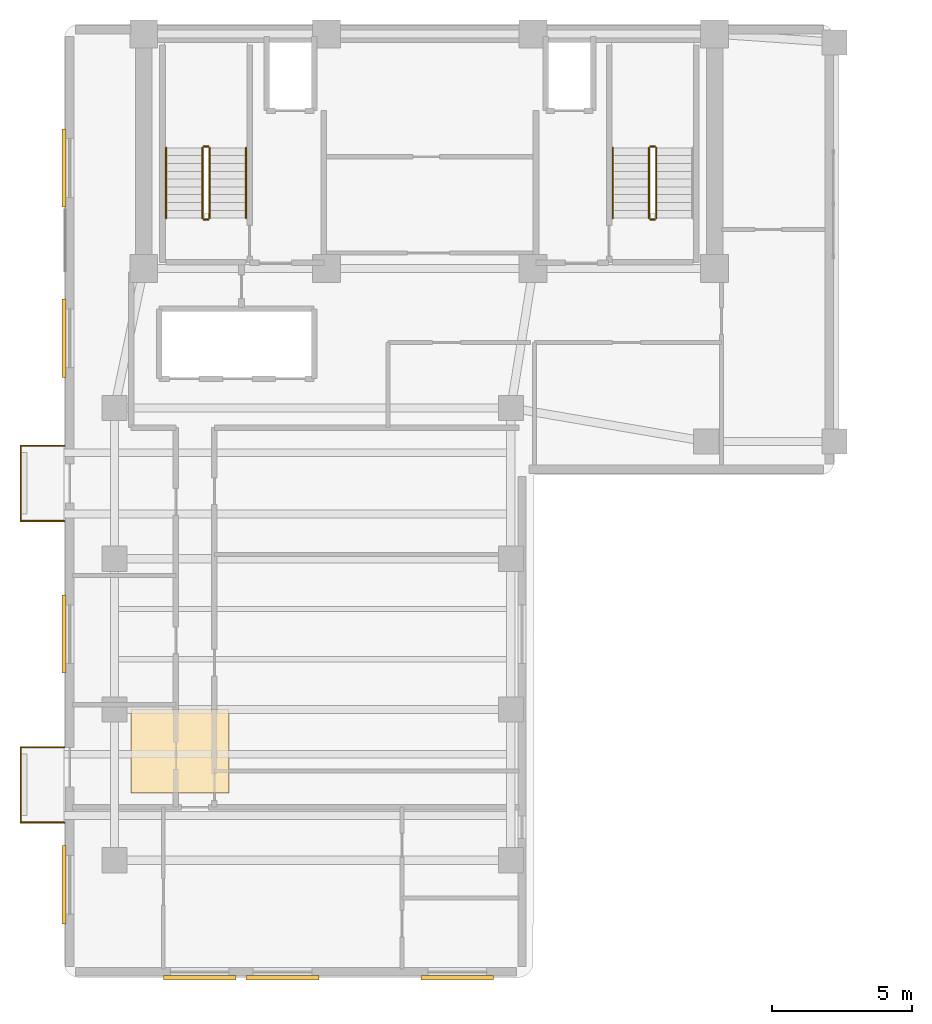
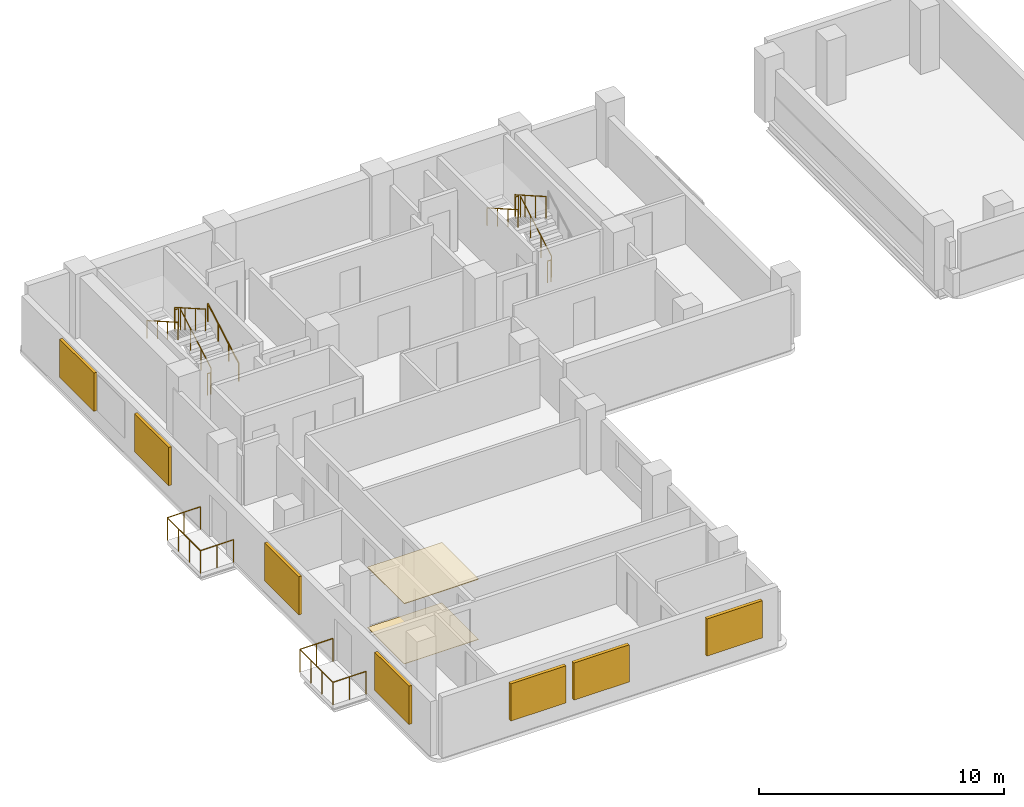
# One storey, part 8 of 9: 17 railings, 7 shading devices, 2 coverings.
"""IFC4 building model written with IfcOpenShell, lengths in metres."""

from ifc_helpers import new_model, si_unit, direction, frame, origin, origin_2d, place, context, subcontext, project, spatial, polyline, rectangle, circle, outline, extrude, material, layer, layer_set, type_object, element, save


model = new_model("IFC4")

# Units and contexts
model_context = context("Model", 3, precision=1e-05, world=origin(), true_north=direction((0.0, 1.0)))
body_context = subcontext(model_context, "Body", "Model", "MODEL_VIEW")
ifc_project = project(units=[si_unit("LENGTHUNIT", "METRE"), si_unit("AREAUNIT", "SQUARE_METRE"), si_unit("VOLUMEUNIT", "CUBIC_METRE"), si_unit("PLANEANGLEUNIT", "RADIAN"), si_unit("MASSUNIT", "GRAM", prefix="KILO")], contexts=[model_context])

# Site, building, storey
site_placement = place(None, origin())
site = spatial("IfcSite", under=ifc_project, at=site_placement, CompositionType="ELEMENT")
building_placement = place(site_placement, origin())
building = spatial("IfcBuilding", under=site, at=building_placement, Name="Kuzgunbayir Cultural Tower", CompositionType="ELEMENT")
storey_placement = place(building_placement, frame((0.0, 0.0, 166.39990234375)))
storey = spatial("IfcBuildingStorey", under=building, at=storey_placement, Name="L48", CompositionType="ELEMENT", Elevation=166.39990234375)

# Coverings
ifc_material_1 = material(Name="Perforated Gypsum Acoustic Tile", Category="gypsum")
ifc_layer_1 = layer(ifc_material_1, 0.02490234375)
ifc_layer_set_1 = layer_set([ifc_layer_1], Name="Perforated Gypsum Acoustic Tile")
covering_type_1 = type_object("IfcCoveringType", Name="COV-CEIL-ACOUSTIC", PredefinedType="CEILING", material=ifc_layer_set_1)
covering_1_placement = place(storey_placement, frame((0.0, 0.0, 2.989990234375)))
element("IfcCovering", 1, at=covering_1_placement, inside=storey, type_object=covering_type_1, Name="L48 Acoustic Soffit Ceiling", PredefinedType="CEILING", context=body_context, shape_type="SweptSolid", body=[
    extrude(outline(polyline([(6.0, 15.0), (9.5, 15.0), (9.5, 18.0), (6.0, 18.0), (6.0, 15.0)])), origin(), (0.0, 0.0, 1.0), 0.030029296875),
])
ifc_material_2 = material(Name="Engineered Anatolian Oak Parquet", Category="wood")
ifc_layer_2 = layer(ifc_material_2, 0.02197265625)
ifc_layer_set_2 = layer_set([ifc_layer_2], Name="Engineered Anatolian Oak Parquet")
covering_type_2 = type_object("IfcCoveringType", Name="COV-FLOOR-OAK", PredefinedType="FLOORING", material=ifc_layer_set_2)
covering_2_placement = place(storey_placement, origin())
element("IfcCovering", 2, at=covering_2_placement, inside=storey, type_object=covering_type_2, Name="L48 Acoustic Floor Finish", PredefinedType="FLOORING", context=body_context, shape_type="SweptSolid", body=[
    extrude(outline(polyline([(6.0, 15.0), (9.5, 15.0), (9.5, 18.0), (6.0, 18.0), (6.0, 15.0)])), origin(), (0.0, 0.0, 1.0), 0.02001953125),
])

# Railings
ifc_material_3 = material(Name="Laminated Glass and Stainless Steel", Category="steel")
ifc_layer_3 = layer(ifc_material_3, 0.080078125)
ifc_layer_set_3 = layer_set([ifc_layer_3], Name="Laminated Glass and Stainless Steel")
railing_type_1 = type_object("IfcRailingType", Name="RLG-BAL-115", PredefinedType="BALUSTRADE", material=ifc_layer_set_3)
railing_1_placement = place(storey_placement, frame((3.60009765625, 13.949951171875, 0.0)))
element("IfcRailing", 3, at=railing_1_placement, inside=storey, type_object=railing_type_1, Name="L48 Balcony Guard BAL-L48-WA1 Segment 1", PredefinedType="BALUSTRADE", context=body_context, shape_type="SweptSolid", body=[
    extrude(circle(Radius=0.02392578125, at=origin_2d()), frame((0.0, 0.0, 1.1259765625), z_axis=(-1.0, 0.0, 0.0), x_axis=(0.0, -1.0, 0.0)), (0.0, 0.0, 1.0), 1.56005859375),
    extrude(circle(Radius=0.02099609375, at=origin_2d()), origin(), (0.0, 0.0, 1.0), 1.101806640625),
    extrude(circle(Radius=0.02099609375, at=origin_2d()), frame((-0.780029296875, 0.0, 0.0)), (0.0, 0.0, 1.0), 1.101806640625),
    extrude(circle(Radius=0.02099609375, at=origin_2d()), frame((-1.56005859375, 0.0, 0.0)), (0.0, 0.0, 1.0), 1.101806640625),
])
railing_2_placement = place(storey_placement, frame((2.0400390625, 13.949951171875, 0.0)))
element("IfcRailing", 4, at=railing_2_placement, inside=storey, type_object=railing_type_1, Name="L48 Balcony Guard BAL-L48-WA1 Segment 2", PredefinedType="BALUSTRADE", context=body_context, shape_type="SweptSolid", body=[
    extrude(circle(Radius=0.02392578125, at=origin_2d()), frame((0.0, 0.0, 1.1259765625), z_axis=(0.0, 1.0, 0.0), x_axis=(-1.0, 0.0, 0.0)), (0.0, 0.0, 1.0), 2.699951171875),
    extrude(circle(Radius=0.02099609375, at=origin_2d()), origin(), (0.0, 0.0, 1.0), 1.101806640625),
    extrude(circle(Radius=0.02099609375, at=origin_2d()), frame((0.0, 0.89990234375, 0.0)), (0.0, 0.0, 1.0), 1.101806640625),
    extrude(circle(Radius=0.02099609375, at=origin_2d()), frame((0.0, 1.800048828125, 0.0)), (0.0, 0.0, 1.0), 1.101806640625),
    extrude(circle(Radius=0.02099609375, at=origin_2d()), frame((0.0, 2.699951171875, 0.0)), (0.0, 0.0, 1.0), 1.101806640625),
])
railing_3_placement = place(storey_placement, frame((2.0400390625, 16.64990234375, 0.0)))
element("IfcRailing", 5, at=railing_3_placement, inside=storey, type_object=railing_type_1, Name="L48 Balcony Guard BAL-L48-WA1 Segment 3", PredefinedType="BALUSTRADE", context=body_context, shape_type="SweptSolid", body=[
    extrude(circle(Radius=0.02392578125, at=origin_2d()), frame((0.0, 0.0, 1.1259765625), z_axis=(1.0, 0.0, 0.0), x_axis=(0.0, 1.0, 0.0)), (0.0, 0.0, 1.0), 1.56005859375),
    extrude(circle(Radius=0.02099609375, at=origin_2d()), origin(), (0.0, 0.0, 1.0), 1.101806640625),
    extrude(circle(Radius=0.02099609375, at=origin_2d()), frame((0.780029296875, 0.0, 0.0)), (0.0, 0.0, 1.0), 1.101806640625),
    extrude(circle(Radius=0.02099609375, at=origin_2d()), frame((1.56005859375, 0.0, 0.0)), (0.0, 0.0, 1.0), 1.101806640625),
])
railing_4_placement = place(storey_placement, frame((3.60009765625, 24.75, 0.0)))
element("IfcRailing", 6, at=railing_4_placement, inside=storey, type_object=railing_type_1, Name="L48 Balcony Guard BAL-L48-WA3 Segment 1", PredefinedType="BALUSTRADE", context=body_context, shape_type="SweptSolid", body=[
    extrude(circle(Radius=0.02392578125, at=origin_2d()), frame((0.0, 0.0, 1.1259765625), z_axis=(-1.0, 0.0, 0.0), x_axis=(0.0, -1.0, 0.0)), (0.0, 0.0, 1.0), 1.56005859375),
    extrude(circle(Radius=0.02099609375, at=origin_2d()), origin(), (0.0, 0.0, 1.0), 1.101806640625),
    extrude(circle(Radius=0.02099609375, at=origin_2d()), frame((-0.780029296875, 0.0, 0.0)), (0.0, 0.0, 1.0), 1.101806640625),
    extrude(circle(Radius=0.02099609375, at=origin_2d()), frame((-1.56005859375, 0.0, 0.0)), (0.0, 0.0, 1.0), 1.101806640625),
])
railing_5_placement = place(storey_placement, frame((2.0400390625, 24.75, 0.0)))
element("IfcRailing", 7, at=railing_5_placement, inside=storey, type_object=railing_type_1, Name="L48 Balcony Guard BAL-L48-WA3 Segment 2", PredefinedType="BALUSTRADE", context=body_context, shape_type="SweptSolid", body=[
    extrude(circle(Radius=0.02392578125, at=origin_2d()), frame((0.0, 0.0, 1.1259765625), z_axis=(0.0, 1.0, 0.0), x_axis=(-1.0, 0.0, 0.0)), (0.0, 0.0, 1.0), 2.699951171875),
    extrude(circle(Radius=0.02099609375, at=origin_2d()), origin(), (0.0, 0.0, 1.0), 1.101806640625),
    extrude(circle(Radius=0.02099609375, at=origin_2d()), frame((0.0, 0.89990234375, 0.0)), (0.0, 0.0, 1.0), 1.101806640625),
    extrude(circle(Radius=0.02099609375, at=origin_2d()), frame((0.0, 1.800048828125, 0.0)), (0.0, 0.0, 1.0), 1.101806640625),
    extrude(circle(Radius=0.02099609375, at=origin_2d()), frame((0.0, 2.699951171875, 0.0)), (0.0, 0.0, 1.0), 1.101806640625),
])
railing_6_placement = place(storey_placement, frame((2.0400390625, 27.449951171875, 0.0)))
element("IfcRailing", 8, at=railing_6_placement, inside=storey, type_object=railing_type_1, Name="L48 Balcony Guard BAL-L48-WA3 Segment 3", PredefinedType="BALUSTRADE", context=body_context, shape_type="SweptSolid", body=[
    extrude(circle(Radius=0.02392578125, at=origin_2d()), frame((0.0, 0.0, 1.1259765625), z_axis=(1.0, 0.0, 0.0), x_axis=(0.0, 1.0, 0.0)), (0.0, 0.0, 1.0), 1.56005859375),
    extrude(circle(Radius=0.02099609375, at=origin_2d()), origin(), (0.0, 0.0, 1.0), 1.101806640625),
    extrude(circle(Radius=0.02099609375, at=origin_2d()), frame((0.780029296875, 0.0, 0.0)), (0.0, 0.0, 1.0), 1.101806640625),
    extrude(circle(Radius=0.02099609375, at=origin_2d()), frame((1.56005859375, 0.0, 0.0)), (0.0, 0.0, 1.0), 1.101806640625),
])
ifc_material_4 = material(Name="Brushed Stainless Steel", Category="steel")
ifc_layer_4 = layer(ifc_material_4, 0.050048828125)
ifc_layer_set_4 = layer_set([ifc_layer_4], Name="Brushed Stainless Steel")
railing_type_2 = type_object("IfcRailingType", Name="RLG-STAIR-HANDRAIL", PredefinedType="HANDRAIL", material=ifc_layer_set_4)
railing_7_placement = place(storey_placement, frame((10.110107421875, 35.60009765625, 0.16015625)))
element("IfcRailing", 9, at=railing_7_placement, inside=storey, type_object=railing_type_2, Name="L48 ST-1 stair handrail 1", PredefinedType="HANDRAIL", context=body_context, shape_type="SweptSolid", body=[
    extrude(circle(Radius=0.02392578125, at=origin_2d()), frame((0.0, 0.0, 0.8759765625), z_axis=(0.0, 0.868253494771, 0.496120820787), x_axis=(-1.0, 0.0, 0.0)), (0.0, 0.0, 1.0), 2.90234375),
    extrude(circle(Radius=0.02099609375, at=origin_2d()), origin(), (0.0, 0.0, 1.0), 0.851806640625),
    extrude(circle(Radius=0.02099609375, at=origin_2d()), frame((0.0, 0.840087890625, 0.47998046875)), (0.0, 0.0, 1.0), 0.851806640625),
    extrude(circle(Radius=0.02099609375, at=origin_2d()), frame((0.0, 1.679931640625, 0.9599609375)), (0.0, 0.0, 1.0), 0.851806640625),
    extrude(circle(Radius=0.02099609375, at=origin_2d()), frame((0.0, 2.52001953125, 1.43994140625)), (0.0, 0.0, 1.0), 0.851806640625),
])
for number, where, name in (
    (10, (7.25, 38.1201171875, 1.760009765625), "L48 ST-1 stair handrail 2"),
    (11, (23.25, 38.1201171875, 1.760009765625), "L48 ST-2 stair handrail 2"),
):
    element("IfcRailing", number, at=place(storey_placement, frame(where)), inside=storey, type_object=railing_type_2, Name=name, PredefinedType="HANDRAIL", context=body_context, shape_type="SweptSolid", body=[
        extrude(circle(Radius=0.02392578125, at=origin_2d()), frame((0.0, 0.0, 0.8759765625), z_axis=(0.0, -0.868217259934, 0.496184229447), x_axis=(1.0, 0.0, 0.0)), (0.0, 0.0, 1.0), 2.902587890625),
        extrude(circle(Radius=0.02099609375, at=origin_2d()), origin(), (0.0, 0.0, 1.0), 0.851806640625),
        extrude(circle(Radius=0.02099609375, at=origin_2d()), frame((0.0, -0.840087890625, 0.47998046875)), (0.0, 0.0, 1.0), 0.851806640625),
        extrude(circle(Radius=0.02099609375, at=origin_2d()), frame((0.0, -1.679931640625, 0.960205078125)), (0.0, 0.0, 1.0), 0.851806640625),
        extrude(circle(Radius=0.02099609375, at=origin_2d()), frame((0.0, -2.52001953125, 1.440185546875)), (0.0, 0.0, 1.0), 0.851806640625),
    ])
ifc_material_5 = material(Name="Painted Steel Balustrade", Category="steel")
ifc_layer_5 = layer(ifc_material_5, 0.06005859375)
ifc_layer_set_5 = layer_set([ifc_layer_5], Name="Painted Steel Balustrade")
railing_type_3 = type_object("IfcRailingType", Name="RLG-WELL-GUARD", PredefinedType="GUARDRAIL", material=ifc_layer_set_5)
railing_8_placement = place(storey_placement, frame((8.81005859375, 35.60009765625, 0.16015625)))
element("IfcRailing", 12, at=railing_8_placement, inside=storey, type_object=railing_type_3, Name="L48 ST-1 stair guard 1", PredefinedType="GUARDRAIL", context=body_context, shape_type="SweptSolid", body=[
    extrude(circle(Radius=0.02392578125, at=origin_2d()), frame((0.0, 0.0, 1.076171875), z_axis=(0.0, 0.868253494771, 0.496120820787), x_axis=(-1.0, 0.0, 0.0)), (0.0, 0.0, 1.0), 2.90234375),
    extrude(circle(Radius=0.02099609375, at=origin_2d()), origin(), (0.0, 0.0, 1.0), 1.052001953125),
    extrude(circle(Radius=0.02099609375, at=origin_2d()), frame((0.0, 0.840087890625, 0.47998046875)), (0.0, 0.0, 1.0), 1.052001953125),
    extrude(circle(Radius=0.02099609375, at=origin_2d()), frame((0.0, 1.679931640625, 0.9599609375)), (0.0, 0.0, 1.0), 1.052001953125),
    extrude(circle(Radius=0.02099609375, at=origin_2d()), frame((0.0, 2.52001953125, 1.43994140625)), (0.0, 0.0, 1.0), 1.052001953125),
])
railing_9_placement = place(storey_placement, frame((8.760009765625, 38.169921875, 1.60009765625)))
element("IfcRailing", 13, at=railing_9_placement, inside=storey, type_object=railing_type_3, Name="L48 ST-1 stair guard 2", PredefinedType="GUARDRAIL", context=body_context, shape_type="SweptSolid", body=[
    extrude(circle(Radius=0.02392578125, at=origin_2d()), frame((0.0, 0.0, 1.076171875), z_axis=(-1.0, 0.0, 0.0), x_axis=(0.0, -1.0, 0.0)), (0.0, 0.0, 1.0), 0.159912109375),
    extrude(circle(Radius=0.02099609375, at=origin_2d()), origin(), (0.0, 0.0, 1.0), 1.052001953125),
    extrude(circle(Radius=0.02099609375, at=origin_2d()), frame((-0.159912109375, 0.0, 0.0)), (0.0, 0.0, 1.0), 1.052001953125),
])
railing_10_placement = place(storey_placement, frame((8.550048828125, 38.1201171875, 1.760009765625)))
element("IfcRailing", 14, at=railing_10_placement, inside=storey, type_object=railing_type_3, Name="L48 ST-1 stair guard 3", PredefinedType="GUARDRAIL", context=body_context, shape_type="SweptSolid", body=[
    extrude(circle(Radius=0.02392578125, at=origin_2d()), frame((0.0, 0.0, 1.076171875), z_axis=(0.0, -0.868217259934, 0.496184229447), x_axis=(1.0, 0.0, 0.0)), (0.0, 0.0, 1.0), 2.902587890625),
    extrude(circle(Radius=0.02099609375, at=origin_2d()), origin(), (0.0, 0.0, 1.0), 1.052001953125),
    extrude(circle(Radius=0.02099609375, at=origin_2d()), frame((0.0, -0.840087890625, 0.47998046875)), (0.0, 0.0, 1.0), 1.052001953125),
    extrude(circle(Radius=0.02099609375, at=origin_2d()), frame((0.0, -1.679931640625, 0.960205078125)), (0.0, 0.0, 1.0), 1.052001953125),
    extrude(circle(Radius=0.02099609375, at=origin_2d()), frame((0.0, -2.52001953125, 1.440185546875)), (0.0, 0.0, 1.0), 1.052001953125),
])
railing_11_placement = place(storey_placement, frame((8.760009765625, 35.550048828125, 0.0)))
element("IfcRailing", 15, at=railing_11_placement, inside=storey, type_object=railing_type_3, Name="L48 ST-1 stair guard 4", PredefinedType="GUARDRAIL", context=body_context, shape_type="SweptSolid", body=[
    extrude(circle(Radius=0.02392578125, at=origin_2d()), frame((0.0, 0.0, 1.076171875), z_axis=(-1.0, 0.0, 0.0), x_axis=(0.0, -1.0, 0.0)), (0.0, 0.0, 1.0), 0.159912109375),
    extrude(circle(Radius=0.02099609375, at=origin_2d()), origin(), (0.0, 0.0, 1.0), 1.052001953125),
    extrude(circle(Radius=0.02099609375, at=origin_2d()), frame((-0.159912109375, 0.0, 0.0)), (0.0, 0.0, 1.0), 1.052001953125),
])
railing_12_placement = place(storey_placement, frame((24.81005859375, 35.60009765625, 0.16015625)))
element("IfcRailing", 16, at=railing_12_placement, inside=storey, type_object=railing_type_3, Name="L48 ST-2 stair guard 1", PredefinedType="GUARDRAIL", context=body_context, shape_type="SweptSolid", body=[
    extrude(circle(Radius=0.02392578125, at=origin_2d()), frame((0.0, 0.0, 1.076171875), z_axis=(0.0, 0.868253494771, 0.496120820787), x_axis=(-1.0, 0.0, 0.0)), (0.0, 0.0, 1.0), 2.90234375),
    extrude(circle(Radius=0.02099609375, at=origin_2d()), origin(), (0.0, 0.0, 1.0), 1.052001953125),
    extrude(circle(Radius=0.02099609375, at=origin_2d()), frame((0.0, 0.840087890625, 0.47998046875)), (0.0, 0.0, 1.0), 1.052001953125),
    extrude(circle(Radius=0.02099609375, at=origin_2d()), frame((0.0, 1.679931640625, 0.9599609375)), (0.0, 0.0, 1.0), 1.052001953125),
    extrude(circle(Radius=0.02099609375, at=origin_2d()), frame((0.0, 2.52001953125, 1.43994140625)), (0.0, 0.0, 1.0), 1.052001953125),
])
railing_13_placement = place(storey_placement, frame((24.760009765625, 38.169921875, 1.60009765625)))
element("IfcRailing", 17, at=railing_13_placement, inside=storey, type_object=railing_type_3, Name="L48 ST-2 stair guard 2", PredefinedType="GUARDRAIL", context=body_context, shape_type="SweptSolid", body=[
    extrude(circle(Radius=0.02392578125, at=origin_2d()), frame((0.0, 0.0, 1.076171875), z_axis=(-1.0, 0.0, 0.0), x_axis=(0.0, -1.0, 0.0)), (0.0, 0.0, 1.0), 0.159912109375),
    extrude(circle(Radius=0.02099609375, at=origin_2d()), origin(), (0.0, 0.0, 1.0), 1.052001953125),
    extrude(circle(Radius=0.02099609375, at=origin_2d()), frame((-0.159912109375, 0.0, 0.0)), (0.0, 0.0, 1.0), 1.052001953125),
])
railing_14_placement = place(storey_placement, frame((24.550048828125, 38.1201171875, 1.760009765625)))
element("IfcRailing", 18, at=railing_14_placement, inside=storey, type_object=railing_type_3, Name="L48 ST-2 stair guard 3", PredefinedType="GUARDRAIL", context=body_context, shape_type="SweptSolid", body=[
    extrude(circle(Radius=0.02392578125, at=origin_2d()), frame((0.0, 0.0, 1.076171875), z_axis=(0.0, -0.868217259934, 0.496184229447), x_axis=(1.0, 0.0, 0.0)), (0.0, 0.0, 1.0), 2.902587890625),
    extrude(circle(Radius=0.02099609375, at=origin_2d()), origin(), (0.0, 0.0, 1.0), 1.052001953125),
    extrude(circle(Radius=0.02099609375, at=origin_2d()), frame((0.0, -0.840087890625, 0.47998046875)), (0.0, 0.0, 1.0), 1.052001953125),
    extrude(circle(Radius=0.02099609375, at=origin_2d()), frame((0.0, -1.679931640625, 0.960205078125)), (0.0, 0.0, 1.0), 1.052001953125),
    extrude(circle(Radius=0.02099609375, at=origin_2d()), frame((0.0, -2.52001953125, 1.440185546875)), (0.0, 0.0, 1.0), 1.052001953125),
])
railing_15_placement = place(storey_placement, frame((24.760009765625, 35.550048828125, 0.0)))
element("IfcRailing", 19, at=railing_15_placement, inside=storey, type_object=railing_type_3, Name="L48 ST-2 stair guard 4", PredefinedType="GUARDRAIL", context=body_context, shape_type="SweptSolid", body=[
    extrude(circle(Radius=0.02392578125, at=origin_2d()), frame((0.0, 0.0, 1.076171875), z_axis=(-1.0, 0.0, 0.0), x_axis=(0.0, -1.0, 0.0)), (0.0, 0.0, 1.0), 0.159912109375),
    extrude(circle(Radius=0.02099609375, at=origin_2d()), origin(), (0.0, 0.0, 1.0), 1.052001953125),
    extrude(circle(Radius=0.02099609375, at=origin_2d()), frame((-0.159912109375, 0.0, 0.0)), (0.0, 0.0, 1.0), 1.052001953125),
])

# Shading devices
ifc_material_6 = material(Name="Perforated Bronze-Anodised Aluminium", Category="aluminium")
shading_device_type_1 = type_object("IfcShadingDeviceType", Name="SHD-SOLAR-BRONZE", PredefinedType="JALOUSIE", material=ifc_material_6)
for number, where, z_axis, x_axis, name in (
    (20, (3.590087890625, 11.719970703125, 0.710205078125), (0.0, 0.0, 1.0), (1.0, 0.0, 0.0), "L48 Perforated Bronze Solar Screen WAW1"),
    (21, (3.590087890625, 20.699951171875, 0.710205078125), (0.0, 0.0, 1.0), (1.0, 0.0, 0.0), "L48 Perforated Bronze Solar Screen WAW5"),
    (22, (3.590087890625, 31.300048828125, 0.710205078125), (0.0, 0.0, 1.0), (1.0, 0.0, 0.0), "L48 Perforated Bronze Solar Screen WAW6"),
    (23, (3.590087890625, 37.39990234375, 0.710205078125), (0.0, 0.0, 1.0), (1.0, 0.0, 0.0), "L48 Perforated Bronze Solar Screen WAW7"),
):
    element("IfcShadingDevice", number, at=place(storey_placement, frame(where, z_axis=z_axis, x_axis=x_axis)), inside=storey, type_object=shading_device_type_1, Name=name, PredefinedType="JALOUSIE", context=body_context, shape_type="SweptSolid", body=[
        extrude(rectangle(XDim=0.139892578125, YDim=2.800048828125, at=origin_2d()), origin(), (0.0, 0.0, 1.0), 1.89990234375),
    ])
ifc_material_7 = material(Name="Warm Terracotta Ceramic Baguette", Category="masonry")
shading_device_type_2 = type_object("IfcShadingDeviceType", Name="SHD-SOLAR-CERAMIC", PredefinedType="SHUTTER", material=ifc_material_7)
for number, where, z_axis, x_axis, name in (
    (24, (11.419921875, 8.389892578125, 0.824951171875), (0.0, 0.0, 1.0), (1.0, 0.0, 0.0), "L48 Solar Screen WAS2"),
    (25, (17.679931640625, 8.389892578125, 0.824951171875), (0.0, 0.0, 1.0), (1.0, 0.0, 0.0), "L48 Solar Screen WAS3"),
    (26, (8.449951171875, 8.389892578125, 0.824951171875), (0.0, 0.0, 1.0), (1.0, 0.0, 0.0), "L48 Solar Screen WAS9"),
):
    element("IfcShadingDevice", number, at=place(storey_placement, frame(where, z_axis=z_axis, x_axis=x_axis)), inside=storey, type_object=shading_device_type_2, Name=name, PredefinedType="SHUTTER", context=body_context, shape_type="SweptSolid", body=[
        extrude(rectangle(XDim=2.60009765625, YDim=0.159912109375, at=origin_2d()), origin(), (0.0, 0.0, 1.0), 1.85009765625),
    ])

save(model, "model.ifc")
